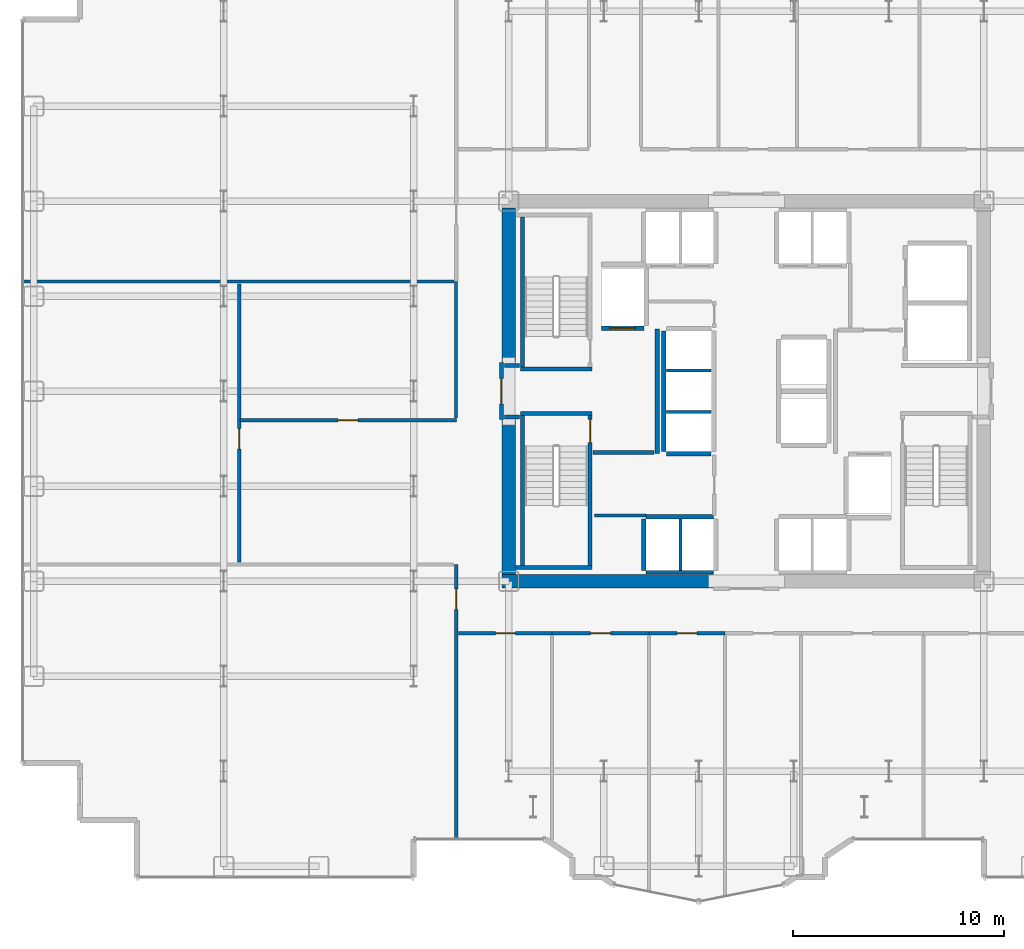
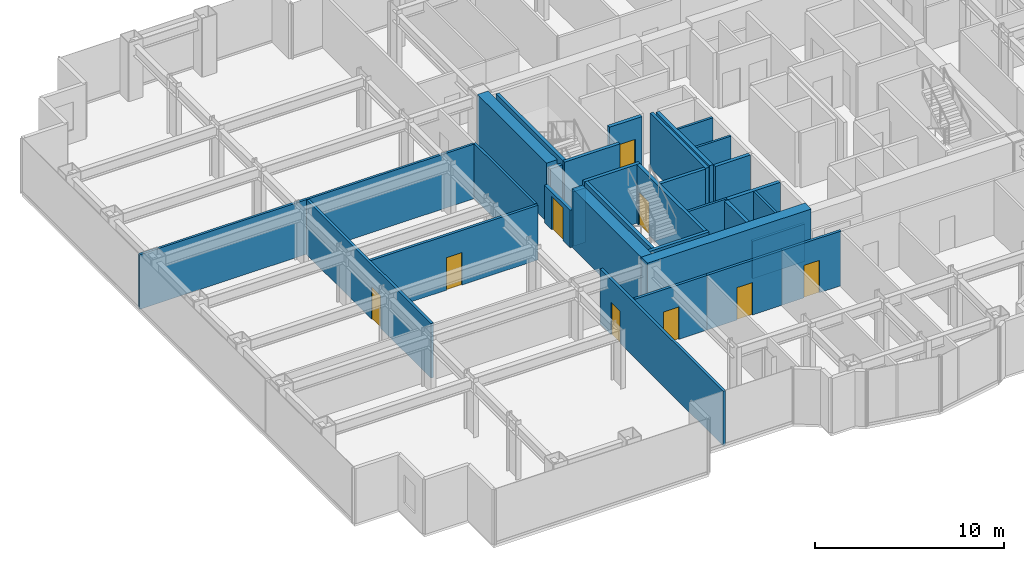
# One storey, part 20 of 26: 32 walls, 9 doors, 9 openings.
"""IFC4 building model written with IfcOpenShell, lengths in metres."""

from ifc_helpers import new_model, si_unit, direction, frame, frame_2d, origin, place, context, subcontext, project, spatial, rectangle, extrude, source, transform, mapped, material, layer, layer_set, type_object, element, fill, save


model = new_model("IFC4")

# Units and contexts
model_context = context("Model", 3, precision=1e-05, world=origin(), true_north=direction((0.0, 1.0)))
body_context = subcontext(model_context, "Body", "Model", "MODEL_VIEW")
ifc_project = project(units=[si_unit("LENGTHUNIT", "METRE"), si_unit("AREAUNIT", "SQUARE_METRE"), si_unit("VOLUMEUNIT", "CUBIC_METRE"), si_unit("PLANEANGLEUNIT", "RADIAN"), si_unit("MASSUNIT", "GRAM", prefix="KILO")], contexts=[model_context])

# Site, building, storey
site_placement = place(None, origin())
site = spatial("IfcSite", under=ifc_project, at=site_placement, CompositionType="ELEMENT")
building_placement = place(site_placement, origin())
building = spatial("IfcBuilding", under=site, at=building_placement, Name="Nefas-Gora Pilgrimage Tower", CompositionType="ELEMENT")
storey_placement = place(building_placement, frame((0.0, 0.0, 36.800048828125)))
storey = spatial("IfcBuildingStorey", under=building, at=storey_placement, Name="L07", CompositionType="ELEMENT", Elevation=36.800048828125)

# Walls
ifc_material_1 = material(Name="Concrete C60/75", Category="concrete")
ifc_layer_1 = layer(ifc_material_1, 0.64990234375)
ifc_layer_set_1 = layer_set([ifc_layer_1], Name="Concrete C60/75")
wall_type_1 = type_object("IfcWallType", Name="SW-CORE-650", PredefinedType="SHEAR", material=ifc_layer_set_1)
shared_shape_1 = source(origin(), body_context, "Body", "SweptSolid", [
    extrude(rectangle(XDim=10.02490234375, YDim=0.64990234375, at=frame_2d((5.012451171875, 0.0))), origin(), (0.0, 0.0, 1.0), 3.800048828125),
])
wall_1_placement = place(storey_placement, frame((-11.574951171875, -9.0, 0.0), z_axis=(0.0, 0.0, 1.0), x_axis=(1.0, 0.0, 0.0)))
element("IfcWall", 1, at=wall_1_placement, inside=storey, type_object=wall_type_1, Name="L07 Core Shear Wall S-West", PredefinedType="SHEAR", context=body_context, shape_type="MappedRepresentation", body=[
    mapped(shared_shape_1, transform((0.0, 0.0, 0.0), x_axis=(1.0, 0.0, 0.0), y_axis=(0.0, 1.0, 0.0), z_axis=(0.0, 0.0, 1.0), scale=1.0)),
])
shared_shape_2 = source(origin(), body_context, "Body", "SweptSolid", [
    extrude(rectangle(XDim=7.324951171875, YDim=0.64990234375, at=frame_2d((3.66259765625, 0.0))), origin(), (0.0, 0.0, 1.0), 3.800048828125),
])
for number, where, z_axis, x_axis, name in (
    (2, (-11.25, -8.675048828125, 0.0), (0.0, 0.0, 1.0), (0.0, 1.0, 0.0), "L07 Core Shear Wall W-South"),
    (3, (-11.25, 1.35009765625, 0.0), (0.0, 0.0, 1.0), (0.0, 1.0, 0.0), "L07 Core Shear Wall W-North"),
):
    element("IfcWall", number, at=place(storey_placement, frame(where, z_axis=z_axis, x_axis=x_axis)), inside=storey, type_object=wall_type_1, Name=name, PredefinedType="SHEAR", context=body_context, shape_type="MappedRepresentation", body=[
        mapped(shared_shape_2, transform((0.0, 0.0, 0.0), x_axis=(1.0, 0.0, 0.0), y_axis=(0.0, 1.0, 0.0), z_axis=(0.0, 0.0, 1.0), scale=1.0)),
    ])
ifc_material_2 = material(Name="Concrete C45/55", Category="concrete")
ifc_layer_2 = layer(ifc_material_2, 0.199951171875)
ifc_layer_set_2 = layer_set([ifc_layer_2], Name="Concrete C45/55")
wall_type_2 = type_object("IfcWallType", Name="IW-STAIR-200", PredefinedType="SOLIDWALL", material=ifc_layer_set_2)
shared_shape_3 = source(origin(), body_context, "Body", "SweptSolid", [
    extrude(rectangle(XDim=3.39990234375, YDim=0.199951171875, at=frame_2d((1.699951171875, 0.0))), origin(), (0.0, 0.0, 1.0), 3.800048828125),
])
for number, where, z_axis, x_axis, name in (
    (4, (-7.300048828125, 1.050048828125, 0.0), (0.0, 0.0, 1.0), (-1.0, 0.0, 0.0), "L07 Stairwell Shear Wall ST-01-near"),
    (5, (-10.699951171875, -1.050048828125, 0.0), (0.0, 0.0, 1.0), (1.0, 0.0, 0.0), "L07 Stairwell Shear Wall ST-03-near"),
):
    element("IfcWall", number, at=place(storey_placement, frame(where, z_axis=z_axis, x_axis=x_axis)), inside=storey, type_object=wall_type_2, Name=name, PredefinedType="SOLIDWALL", context=body_context, shape_type="MappedRepresentation", body=[
        mapped(shared_shape_3, transform((0.0, 0.0, 0.0), x_axis=(1.0, 0.0, 0.0), y_axis=(0.0, 1.0, 0.0), z_axis=(0.0, 0.0, 1.0), scale=1.0)),
    ])
shared_shape_4 = source(origin(), body_context, "Body", "SweptSolid", [
    extrude(rectangle(XDim=3.6298828125, YDim=0.199951171875, at=frame_2d((1.81494140625, 0.0))), origin(), (0.0, 0.0, 1.0), 3.800048828125),
])
wall_2_placement = place(storey_placement, frame((-10.929931640625, -8.35009765625, 0.0), z_axis=(0.0, 0.0, 1.0), x_axis=(1.0, 0.0, 0.0)))
element("IfcWall", 6, at=wall_2_placement, inside=storey, type_object=wall_type_2, Name="L07 Stairwell Shear Wall ST-03-far", PredefinedType="SOLIDWALL", context=body_context, shape_type="MappedRepresentation", body=[
    mapped(shared_shape_4, transform((0.0, 0.0, 0.0), x_axis=(1.0, 0.0, 0.0), y_axis=(0.0, 1.0, 0.0), z_axis=(0.0, 0.0, 1.0), scale=1.0)),
])
shared_shape_5 = source(origin(), body_context, "Body", "SweptSolid", [
    extrude(rectangle(XDim=7.10009765625, YDim=0.199951171875, at=frame_2d((3.550048828125, 0.0))), origin(), (0.0, 0.0, 1.0), 3.800048828125),
])
for number, where, z_axis, x_axis, name in (
    (7, (-10.60009765625, 1.14990234375, 0.0), (0.0, 0.0, 1.0), (0.0, 1.0, 0.0), "L07 Stairwell Shear Wall ST-01-right"),
    (8, (-10.60009765625, -1.14990234375, 0.0), (0.0, 0.0, 1.0), (0.0, -1.0, 0.0), "L07 Stairwell Shear Wall ST-03-left"),
):
    element("IfcWall", number, at=place(storey_placement, frame(where, z_axis=z_axis, x_axis=x_axis)), inside=storey, type_object=wall_type_2, Name=name, PredefinedType="SOLIDWALL", context=body_context, shape_type="MappedRepresentation", body=[
        mapped(shared_shape_5, transform((0.0, 0.0, 0.0), x_axis=(1.0, 0.0, 0.0), y_axis=(0.0, 1.0, 0.0), z_axis=(0.0, 0.0, 1.0), scale=1.0)),
    ])

# Wall, opening, door
wall_3_placement = place(storey_placement, frame((-7.39990234375, -1.14990234375, 0.0), z_axis=(0.0, 0.0, 1.0), x_axis=(0.0, -1.0, 0.0)))
wall_3 = element("IfcWall", 9, at=wall_3_placement, inside=storey, type_object=wall_type_2, Name="L07 Stairwell Shear Wall ST-03-right", PredefinedType="SOLIDWALL", context=body_context, shape_type="MappedRepresentation", body=[
    mapped(shared_shape_5, transform((0.0, 0.0, 0.0), x_axis=(1.0, 0.0, 0.0), y_axis=(0.0, 1.0, 0.0), z_axis=(0.0, 0.0, 1.0), scale=1.0)),
])
opening_1_placement = place(wall_3_placement, frame((0.179931640625, 0.0, 0.0)))
opening_1 = element("IfcOpeningElement", 10, at=opening_1_placement, cuts=wall_3, Name="Opening ID-ST1", PredefinedType="OPENING", context=body_context, shape_type="SweptSolid", body=[
    extrude(rectangle(XDim=1.10009765625, YDim=2.14990234375, at=frame_2d((0.550048828125, 1.074951171875))), frame((0.0, 0.10986328125, 0.0), z_axis=(0.0, -1.0, 0.0), x_axis=(1.0, 0.0, 0.0)), (0.0, 0.0, 1.0), 0.219970703125),
])
ifc_material_3 = material(Name="Painted galvanised steel fire stair door", Category="steel")
door_type_1 = type_object("IfcDoorType", Name="DR-INT-STAIR-1100", OperationType="NOTDEFINED", PredefinedType="DOOR", material=ifc_material_3)
shared_shape_6 = source(origin(), body_context, "Body", "SweptSolid", [
    extrude(rectangle(XDim=1.10009765625, YDim=2.14990234375, at=frame_2d((0.550048828125, 1.074951171875))), frame((0.0, 0.02490234375, 0.0), z_axis=(0.0, -1.0, 0.0), x_axis=(1.0, 0.0, 0.0)), (0.0, 0.0, 1.0), 0.050048828125),
])
door_1_placement = place(opening_1_placement, origin())
door_1 = element("IfcDoor", 11, at=door_1_placement, inside=storey, type_object=door_type_1, Name="L07 Protected Exit Stair Door ST-03", OperationType="SINGLE_SWING_LEFT", OverallHeight=2.14990234375, OverallWidth=1.10009765625, PredefinedType="DOOR", context=body_context, shape_type="MappedRepresentation", body=[
    mapped(shared_shape_6, transform((0.0, 0.0, 0.0), x_axis=(1.0, 0.0, 0.0), y_axis=(0.0, 1.0, 0.0), z_axis=(0.0, 0.0, 1.0), scale=1.0)),
])
fill(opening_1, door_1)

ifc_material_4 = material(Name="Concrete C40/50", Category="concrete")
ifc_layer_3 = layer(ifc_material_4, 0.219970703125)
ifc_layer_set_3 = layer_set([ifc_layer_3], Name="Concrete C40/50")
wall_type_3 = type_object("IfcWallType", Name="IW-SHAFT-220", PredefinedType="SOLIDWALL", material=ifc_layer_set_3)
shared_shape_7 = source(origin(), body_context, "Body", "SweptSolid", [
    extrude(rectangle(XDim=2.0, YDim=0.219970703125, at=frame_2d((1.0, 0.0))), origin(), (0.0, 0.0, 1.0), 3.534912109375),
])
wall_4_placement = place(storey_placement, frame((-6.85009765625, 2.989990234375, 0.0), z_axis=(0.0, 0.0, 1.0), x_axis=(1.0, 0.0, 0.0)))
wall_4 = element("IfcWall", 12, at=wall_4_placement, inside=storey, type_object=wall_type_3, Name="L07 Hoistway Wall FFL-01-S", PredefinedType="SOLIDWALL", context=body_context, shape_type="MappedRepresentation", body=[
    mapped(shared_shape_7, transform((0.0, 0.0, 0.0), x_axis=(1.0, 0.0, 0.0), y_axis=(0.0, 1.0, 0.0), z_axis=(0.0, 0.0, 1.0), scale=1.0)),
])
opening_2_placement = place(wall_4_placement, frame((0.39990234375, 0.0, 0.0)))
opening_2 = element("IfcOpeningElement", 13, at=opening_2_placement, cuts=wall_4, Name="Opening LD-FF", PredefinedType="OPENING", context=body_context, shape_type="SweptSolid", body=[
    extrude(rectangle(XDim=1.199951171875, YDim=2.199951171875, at=frame_2d((0.60009765625, 1.10009765625))), frame((0.0, 0.119873046875, 0.0), z_axis=(0.0, -1.0, 0.0), x_axis=(1.0, 0.0, 0.0)), (0.0, 0.0, 1.0), 0.239990234375),
])
ifc_material_5 = material(Name="Fire-service sliding lift landing door")
door_type_2 = type_object("IfcDoorType", Name="DR-LIFT-FSAE-1200", OperationType="SLIDING_TO_LEFT", PredefinedType="DOOR", material=ifc_material_5)
shared_shape_8 = source(origin(), body_context, "Body", "SweptSolid", [
    extrude(rectangle(XDim=1.199951171875, YDim=2.199951171875, at=frame_2d((0.60009765625, 1.10009765625))), frame((0.0, 0.02490234375, 0.0), z_axis=(0.0, -1.0, 0.0), x_axis=(1.0, 0.0, 0.0)), (0.0, 0.0, 1.0), 0.050048828125),
])
door_2_placement = place(opening_2_placement, origin())
door_2 = element("IfcDoor", 14, at=door_2_placement, inside=storey, type_object=door_type_2, Name="L07 Sliding Lift Landing Door FFL-01", OperationType="SLIDING_TO_LEFT", OverallHeight=2.199951171875, OverallWidth=1.199951171875, PredefinedType="DOOR", context=body_context, shape_type="MappedRepresentation", body=[
    mapped(shared_shape_8, transform((0.0, 0.0, 0.0), x_axis=(1.0, 0.0, 0.0), y_axis=(0.0, 1.0, 0.0), z_axis=(0.0, 0.0, 1.0), scale=1.0)),
])
fill(opening_2, door_2)

# Walls
shared_shape_9 = source(origin(), body_context, "Body", "SweptSolid", [
    extrude(rectangle(XDim=3.199951171875, YDim=0.219970703125, at=frame_2d((1.60009765625, 0.0))), origin(), (0.0, 0.0, 1.0), 3.534912109375),
])
wall_5_placement = place(storey_placement, frame((-1.550048828125, -5.93994140625, 0.0), z_axis=(0.0, 0.0, 1.0), x_axis=(-1.0, 0.0, 0.0)))
element("IfcWall", 15, at=wall_5_placement, inside=storey, type_object=wall_type_3, Name="L07 Hoistway Wall PL2-W-N", PredefinedType="SOLIDWALL", context=body_context, shape_type="MappedRepresentation", body=[
    mapped(shared_shape_9, transform((0.0, 0.0, 0.0), x_axis=(1.0, 0.0, 0.0), y_axis=(0.0, 1.0, 0.0), z_axis=(0.0, 0.0, 1.0), scale=1.0)),
])
ifc_material_6 = material(Name="Gypsum acoustic stud partition")
ifc_layer_4 = layer(ifc_material_6, 0.159912109375)
ifc_layer_set_4 = layer_set([ifc_layer_4], Name="Gypsum acoustic stud partition")
wall_type_4 = type_object("IfcWallType", Name="IW-CORR-160", PredefinedType="PARTITIONING", material=ifc_layer_set_4)
shared_shape_10 = source(origin(), body_context, "Body", "SweptSolid", [
    extrude(rectangle(XDim=3.199951171875, YDim=0.159912109375, at=frame_2d((1.60009765625, 0.0))), origin(), (0.0, 0.0, 1.0), 2.425048828125),
])
wall_6_placement = place(storey_placement, frame((-4.75, -8.580078125, 0.0), z_axis=(0.0, 0.0, 1.0), x_axis=(1.0, 0.0, 0.0)))
element("IfcWall", 16, at=wall_6_placement, inside=storey, type_object=wall_type_4, Name="L07 Hoistway Wall PL2-W-S", PredefinedType="PARTITIONING", context=body_context, shape_type="MappedRepresentation", body=[
    mapped(shared_shape_10, transform((0.0, 0.0, 0.0), x_axis=(1.0, 0.0, 0.0), y_axis=(0.0, 1.0, 0.0), z_axis=(0.0, 0.0, 1.0), scale=1.0)),
])
shared_shape_11 = source(origin(), body_context, "Body", "SweptSolid", [
    extrude(rectangle(XDim=2.429931640625, YDim=0.219970703125, at=frame_2d((1.21484375, 0.0))), origin(), (0.0, 0.0, 1.0), 3.534912109375),
])
wall_7_placement = place(storey_placement, frame((-4.860107421875, -6.06005859375, 0.0), z_axis=(0.0, 0.0, 1.0), x_axis=(0.0, -1.0, 0.0)))
element("IfcWall", 17, at=wall_7_placement, inside=storey, type_object=wall_type_3, Name="L07 Hoistway Wall PL2-W-W", PredefinedType="SOLIDWALL", context=body_context, shape_type="MappedRepresentation", body=[
    mapped(shared_shape_11, transform((0.0, 0.0, 0.0), x_axis=(1.0, 0.0, 0.0), y_axis=(0.0, 1.0, 0.0), z_axis=(0.0, 0.0, 1.0), scale=1.0)),
])
ifc_material_7 = material(Name="Gypsum twin-stud partition")
ifc_layer_5 = layer(ifc_material_7, 0.139892578125)
ifc_layer_set_5 = layer_set([ifc_layer_5], Name="Gypsum twin-stud partition")
wall_type_5 = type_object("IfcWallType", Name="IW-UNIT-140", PredefinedType="PARTITIONING", material=ifc_layer_set_5)
shared_shape_12 = source(origin(), body_context, "Body", "SweptSolid", [
    extrude(rectangle(XDim=2.429931640625, YDim=0.139892578125, at=frame_2d((1.21484375, 0.0))), origin(), (0.0, 0.0, 1.0), 3.534912109375),
])
wall_8_placement = place(storey_placement, frame((-3.125, -8.489990234375, 0.0), z_axis=(0.0, 0.0, 1.0), x_axis=(0.0, 1.0, 0.0)))
element("IfcWall", 18, at=wall_8_placement, inside=storey, type_object=wall_type_5, Name="L07 Hoistway Wall PL2-W-DIV", PredefinedType="PARTITIONING", context=body_context, shape_type="MappedRepresentation", body=[
    mapped(shared_shape_12, transform((0.0, 0.0, 0.0), x_axis=(1.0, 0.0, 0.0), y_axis=(0.0, 1.0, 0.0), z_axis=(0.0, 0.0, 1.0), scale=1.0)),
])
shared_shape_13 = source(origin(), body_context, "Body", "SweptSolid", [
    extrude(rectangle(XDim=5.7001953125, YDim=0.219970703125, at=frame_2d((2.85009765625, 0.0))), origin(), (0.0, 0.0, 1.0), 3.534912109375),
])
wall_9_placement = place(storey_placement, frame((-3.909912109375, 2.85009765625, 0.0), z_axis=(0.0, 0.0, 1.0), x_axis=(0.0, -1.0, 0.0)))
element("IfcWall", 19, at=wall_9_placement, inside=storey, type_object=wall_type_3, Name="L07 Hoistway Wall PL3-01-03-W", PredefinedType="SOLIDWALL", context=body_context, shape_type="MappedRepresentation", body=[
    mapped(shared_shape_13, transform((0.0, 0.0, 0.0), x_axis=(1.0, 0.0, 0.0), y_axis=(0.0, 1.0, 0.0), z_axis=(0.0, 0.0, 1.0), scale=1.0)),
])
shared_shape_14 = source(origin(), body_context, "Body", "SweptSolid", [
    extrude(rectangle(XDim=2.130126953125, YDim=0.219970703125, at=frame_2d((1.06494140625, 0.0))), origin(), (0.0, 0.0, 1.0), 3.534912109375),
])
wall_10_placement = place(storey_placement, frame((-3.7900390625, -2.9599609375, 0.0), z_axis=(0.0, 0.0, 1.0), x_axis=(1.0, 0.0, 0.0)))
element("IfcWall", 20, at=wall_10_placement, inside=storey, type_object=wall_type_3, Name="L07 Hoistway Wall PL3-01-S", PredefinedType="SOLIDWALL", context=body_context, shape_type="MappedRepresentation", body=[
    mapped(shared_shape_14, transform((0.0, 0.0, 0.0), x_axis=(1.0, 0.0, 0.0), y_axis=(0.0, 1.0, 0.0), z_axis=(0.0, 0.0, 1.0), scale=1.0)),
])
shared_shape_15 = source(origin(), body_context, "Body", "SweptSolid", [
    extrude(rectangle(XDim=2.130126953125, YDim=0.139892578125, at=frame_2d((1.06494140625, 0.0))), origin(), (0.0, 0.0, 1.0), 3.534912109375),
])
for number, where, z_axis, x_axis, name in (
    (21, (-3.7900390625, -0.97509765625, 0.0), (0.0, 0.0, 1.0), (1.0, 0.0, 0.0), "L07 Hoistway Wall PL3-01-02-DIV"),
    (22, (-3.7900390625, 0.97509765625, 0.0), (0.0, 0.0, 1.0), (1.0, 0.0, 0.0), "L07 Hoistway Wall PL3-02-03-DIV"),
):
    element("IfcWall", number, at=place(storey_placement, frame(where, z_axis=z_axis, x_axis=x_axis)), inside=storey, type_object=wall_type_5, Name=name, PredefinedType="PARTITIONING", context=body_context, shape_type="MappedRepresentation", body=[
        mapped(shared_shape_15, transform((0.0, 0.0, 0.0), x_axis=(1.0, 0.0, 0.0), y_axis=(0.0, 1.0, 0.0), z_axis=(0.0, 0.0, 1.0), scale=1.0)),
    ])

# Wall, opening, door
ifc_material_8 = material(Name="Gypsum fire-rated shaftwall")
ifc_layer_6 = layer(ifc_material_8, 0.199951171875)
ifc_layer_set_6 = layer_set([ifc_layer_6], Name="Gypsum fire-rated shaftwall")
wall_type_6 = type_object("IfcWallType", Name="IW-FFLOB-200", PredefinedType="PARTITIONING", material=ifc_layer_set_6)
shared_shape_16 = source(origin(), body_context, "Body", "SweptSolid", [
    extrude(rectangle(XDim=2.7001953125, YDim=0.199951171875, at=frame_2d((1.35009765625, 0.0))), origin(), (0.0, 0.0, 1.0), 2.425048828125),
])
wall_11_placement = place(storey_placement, frame((-11.60009765625, -1.35009765625, 0.0), z_axis=(0.0, 0.0, 1.0), x_axis=(0.0, 1.0, 0.0)))
wall_11 = element("IfcWall", 23, at=wall_11_placement, inside=storey, type_object=wall_type_6, Name="L07 FF Lobby West Portal Wall 3", PredefinedType="PARTITIONING", context=body_context, shape_type="MappedRepresentation", body=[
    mapped(shared_shape_16, transform((0.0, 0.0, 0.0), x_axis=(1.0, 0.0, 0.0), y_axis=(0.0, 1.0, 0.0), z_axis=(0.0, 0.0, 1.0), scale=1.0)),
])
opening_3_placement = place(wall_11_placement, frame((0.75, 0.0, 0.0)))
opening_3 = element("IfcOpeningElement", 24, at=opening_3_placement, cuts=wall_11, Name="Opening ID-FF1", PredefinedType="OPENING", context=body_context, shape_type="SweptSolid", body=[
    extrude(rectangle(XDim=1.199951171875, YDim=2.14990234375, at=frame_2d((0.60009765625, 1.074951171875))), frame((0.0, 0.10986328125, 0.0), z_axis=(0.0, -1.0, 0.0), x_axis=(1.0, 0.0, 0.0)), (0.0, 0.0, 1.0), 0.219970703125),
])
ifc_material_9 = material(Name="Smoke-sealed steel firefighting lobby door", Category="steel")
door_type_3 = type_object("IfcDoorType", Name="DR-INT-FFLOB-1200", OperationType="NOTDEFINED", PredefinedType="DOOR", material=ifc_material_9)
shared_shape_17 = source(origin(), body_context, "Body", "SweptSolid", [
    extrude(rectangle(XDim=1.199951171875, YDim=2.14990234375, at=frame_2d((0.60009765625, 1.074951171875))), frame((0.0, 0.02490234375, 0.0), z_axis=(0.0, -1.0, 0.0), x_axis=(1.0, 0.0, 0.0)), (0.0, 0.0, 1.0), 0.050048828125),
])
door_3_placement = place(opening_3_placement, origin())
door_3 = element("IfcDoor", 25, at=door_3_placement, inside=storey, type_object=door_type_3, Name="L07 FF Lobby West Portal Door 1", OperationType="SINGLE_SWING_RIGHT", OverallHeight=2.14990234375, OverallWidth=1.199951171875, PredefinedType="DOOR", context=body_context, shape_type="MappedRepresentation", body=[
    mapped(shared_shape_17, transform((0.0, 0.0, 0.0), x_axis=(1.0, 0.0, 0.0), y_axis=(0.0, 1.0, 0.0), z_axis=(0.0, 0.0, 1.0), scale=1.0)),
])
fill(opening_3, door_3)

# Walls
shared_shape_18 = source(origin(), body_context, "Body", "SweptSolid", [
    extrude(rectangle(XDim=5.89990234375, YDim=0.199951171875, at=frame_2d((2.949951171875, 0.0))), origin(), (0.0, 0.0, 1.0), 3.534912109375),
])
wall_12_placement = place(storey_placement, frame((-4.219970703125, -2.949951171875, 0.0), z_axis=(0.0, 0.0, 1.0), x_axis=(0.0, 1.0, 0.0)))
element("IfcWall", 26, at=wall_12_placement, inside=storey, type_object=wall_type_6, Name="L07 FF Lobby West Inner Wall Wall 4", PredefinedType="PARTITIONING", context=body_context, shape_type="MappedRepresentation", body=[
    mapped(shared_shape_18, transform((0.0, 0.0, 0.0), x_axis=(1.0, 0.0, 0.0), y_axis=(0.0, 1.0, 0.0), z_axis=(0.0, 0.0, 1.0), scale=1.0)),
])
shared_shape_19 = source(origin(), body_context, "Body", "SweptSolid", [
    extrude(rectangle(XDim=2.89990234375, YDim=0.199951171875, at=frame_2d((1.449951171875, 0.0))), origin(), (0.0, 0.0, 1.0), 3.534912109375),
])
wall_13_placement = place(storey_placement, frame((-7.260009765625, -2.89990234375, 0.0), z_axis=(0.0, 0.0, 1.0), x_axis=(1.0, 0.0, 0.0)))
element("IfcWall", 27, at=wall_13_placement, inside=storey, type_object=wall_type_6, Name="L07 FF Lobby West South Wall Wall 5", PredefinedType="PARTITIONING", context=body_context, shape_type="MappedRepresentation", body=[
    mapped(shared_shape_19, transform((0.0, 0.0, 0.0), x_axis=(1.0, 0.0, 0.0), y_axis=(0.0, 1.0, 0.0), z_axis=(0.0, 0.0, 1.0), scale=1.0)),
])
shared_shape_20 = source(origin(), body_context, "Body", "SweptSolid", [
    extrude(rectangle(XDim=0.719970703125, YDim=0.199951171875, at=frame_2d((0.35986328125, 0.0))), origin(), (0.0, 0.0, 1.0), 3.534912109375),
])
for number, where, z_axis, x_axis, name in (
    (28, (-11.4599609375, 1.219970703125, 0.0), (0.0, 0.0, 1.0), (1.0, 0.0, 0.0), "L07 FF Lobby West Throat N Wall 6"),
    (29, (-11.4599609375, -1.219970703125, 0.0), (0.0, 0.0, 1.0), (1.0, 0.0, 0.0), "L07 FF Lobby West Throat S Wall 7"),
):
    element("IfcWall", number, at=place(storey_placement, frame(where, z_axis=z_axis, x_axis=x_axis)), inside=storey, type_object=wall_type_6, Name=name, PredefinedType="PARTITIONING", context=body_context, shape_type="MappedRepresentation", body=[
        mapped(shared_shape_20, transform((0.0, 0.0, 0.0), x_axis=(1.0, 0.0, 0.0), y_axis=(0.0, 1.0, 0.0), z_axis=(0.0, 0.0, 1.0), scale=1.0)),
    ])
shared_shape_21 = source(origin(), body_context, "Body", "SweptSolid", [
    extrude(rectangle(XDim=2.43505859375, YDim=0.139892578125, at=frame_2d((1.217529296875, 0.0))), origin(), (0.0, 0.0, 1.0), 3.534912109375),
])
wall_14_placement = place(storey_placement, frame((-7.18994140625, -5.8798828125, 0.0), z_axis=(0.0, 0.0, 1.0), x_axis=(1.0, 0.0, 0.0)))
element("IfcWall", 30, at=wall_14_placement, inside=storey, type_object=wall_type_5, Name="L07 Pilgrim Baggage and Gear Vault Partition Wall 19", PredefinedType="PARTITIONING", context=body_context, shape_type="MappedRepresentation", body=[
    mapped(shared_shape_21, transform((0.0, 0.0, 0.0), x_axis=(1.0, 0.0, 0.0), y_axis=(0.0, 1.0, 0.0), z_axis=(0.0, 0.0, 1.0), scale=1.0)),
])

# Wall, opening, door
shared_shape_22 = source(origin(), body_context, "Body", "SweptSolid", [
    extrude(rectangle(XDim=13.044921875, YDim=0.159912109375, at=frame_2d((6.5224609375, 0.0))), origin(), (0.0, 0.0, 1.0), 3.534912109375),
])
wall_15_placement = place(storey_placement, frame((-13.739990234375, -21.239990234375, 0.0), z_axis=(0.0, 0.0, 1.0), x_axis=(0.0, 1.0, 0.0)))
wall_15 = element("IfcWall", 31, at=wall_15_placement, inside=storey, type_object=wall_type_4, Name="L07 Pilgrim Tea and Beverage Pantry Partition Wall 23", PredefinedType="PARTITIONING", context=body_context, shape_type="MappedRepresentation", body=[
    mapped(shared_shape_22, transform((0.0, 0.0, 0.0), x_axis=(1.0, 0.0, 0.0), y_axis=(0.0, 1.0, 0.0), z_axis=(0.0, 0.0, 1.0), scale=1.0)),
])
opening_4_placement = place(wall_15_placement, frame((10.91259765625, 0.0, 0.0)))
opening_4 = element("IfcOpeningElement", 32, at=opening_4_placement, cuts=wall_15, Name="Opening ID-GR1", PredefinedType="OPENING", context=body_context, shape_type="SweptSolid", body=[
    extrude(rectangle(XDim=0.949951171875, YDim=2.10009765625, at=frame_2d((0.47509765625, 1.050048828125))), frame((0.0, 0.08984375, 0.0), z_axis=(0.0, -1.0, 0.0), x_axis=(1.0, 0.0, 0.0)), (0.0, 0.0, 1.0), 0.179931640625),
])
ifc_material_10 = material(Name="Solid core oak fire-rated guest entrance door")
door_type_4 = type_object("IfcDoorType", Name="DR-INT-GUEST-950", OperationType="NOTDEFINED", PredefinedType="DOOR", material=ifc_material_10)
shared_shape_23 = source(origin(), body_context, "Body", "SweptSolid", [
    extrude(rectangle(XDim=0.949951171875, YDim=2.10009765625, at=frame_2d((0.47509765625, 1.050048828125))), frame((0.0, 0.02490234375, 0.0), z_axis=(0.0, -1.0, 0.0), x_axis=(1.0, 0.0, 0.0)), (0.0, 0.0, 1.0), 0.050048828125),
])
door_4_placement = place(opening_4_placement, origin())
door_4 = element("IfcDoor", 33, at=door_4_placement, inside=storey, type_object=door_type_4, Name="L07 Pilgrim Tea and Beverage Pantry Door 9", OperationType="SINGLE_SWING_RIGHT", OverallHeight=2.10009765625, OverallWidth=0.949951171875, PredefinedType="DOOR", context=body_context, shape_type="MappedRepresentation", body=[
    mapped(shared_shape_23, transform((0.0, 0.0, 0.0), x_axis=(1.0, 0.0, 0.0), y_axis=(0.0, 1.0, 0.0), z_axis=(0.0, 0.0, 1.0), scale=1.0)),
])
fill(opening_4, door_4)

shared_shape_24 = source(origin(), body_context, "Body", "SweptSolid", [
    extrude(rectangle(XDim=10.25, YDim=0.159912109375, at=frame_2d((5.125, 0.0))), origin(), (0.0, 0.0, 1.0), 3.534912109375),
])
wall_16_placement = place(storey_placement, frame((-23.97998046875, -1.3798828125, 0.0), z_axis=(0.0, 0.0, 1.0), x_axis=(1.0, 0.0, 0.0)))
wall_16 = element("IfcWall", 34, at=wall_16_placement, inside=storey, type_object=wall_type_4, Name="L07 Pilgrim Fellowship Seminar Room Partition Wall 25", PredefinedType="PARTITIONING", context=body_context, shape_type="MappedRepresentation", body=[
    mapped(shared_shape_24, transform((0.0, 0.0, 0.0), x_axis=(1.0, 0.0, 0.0), y_axis=(0.0, 1.0, 0.0), z_axis=(0.0, 0.0, 1.0), scale=1.0)),
])
opening_5_placement = place(wall_16_placement, frame((4.64990234375, 0.0, 0.0)))
opening_5 = element("IfcOpeningElement", 35, at=opening_5_placement, cuts=wall_16, Name="Opening ID-GR1", PredefinedType="OPENING", context=body_context, shape_type="SweptSolid", body=[
    extrude(rectangle(XDim=0.949951171875, YDim=2.10009765625, at=frame_2d((0.47509765625, 1.050048828125))), frame((0.0, 0.08984375, 0.0), z_axis=(0.0, -1.0, 0.0), x_axis=(1.0, 0.0, 0.0)), (0.0, 0.0, 1.0), 0.179931640625),
])
door_5_placement = place(opening_5_placement, origin())
door_5 = element("IfcDoor", 36, at=door_5_placement, inside=storey, type_object=door_type_4, Name="L07 Pilgrim Fellowship Seminar Room Door 10", OperationType="SINGLE_SWING_LEFT", OverallHeight=2.10009765625, OverallWidth=0.949951171875, PredefinedType="DOOR", context=body_context, shape_type="MappedRepresentation", body=[
    mapped(shared_shape_23, transform((0.0, 0.0, 0.0), x_axis=(1.0, 0.0, 0.0), y_axis=(0.0, 1.0, 0.0), z_axis=(0.0, 0.0, 1.0), scale=1.0)),
])
fill(opening_5, door_5)

# Wall
shared_shape_25 = source(origin(), body_context, "Body", "SweptSolid", [
    extrude(rectangle(XDim=6.465087890625, YDim=0.139892578125, at=frame_2d((3.232421875, 0.0))), origin(), (0.0, 0.0, 1.0), 3.534912109375),
])
wall_17_placement = place(storey_placement, frame((-13.739990234375, -1.260009765625, 0.0), z_axis=(0.0, 0.0, 1.0), x_axis=(0.0, 1.0, 0.0)))
element("IfcWall", 37, at=wall_17_placement, inside=storey, type_object=wall_type_5, Name="L07 Pilgrim Fellowship Seminar Room Partition Wall 26", PredefinedType="PARTITIONING", context=body_context, shape_type="MappedRepresentation", body=[
    mapped(shared_shape_25, transform((0.0, 0.0, 0.0), x_axis=(1.0, 0.0, 0.0), y_axis=(0.0, 1.0, 0.0), z_axis=(0.0, 0.0, 1.0), scale=1.0)),
])

# Wall, opening, door
shared_shape_26 = source(origin(), body_context, "Body", "SweptSolid", [
    extrude(rectangle(XDim=13.179931640625, YDim=0.159912109375, at=frame_2d((6.58984375, 0.0))), origin(), (0.0, 0.0, 1.0), 3.534912109375),
])
wall_18_placement = place(storey_placement, frame((-24.02001953125, -8.094970703125, 0.0), z_axis=(0.0, 0.0, 1.0), x_axis=(0.0, 1.0, 0.0)))
wall_18 = element("IfcWall", 38, at=wall_18_placement, inside=storey, type_object=wall_type_4, Name="L07 Pilgrim Refectory Lounge Partition Wall 28", PredefinedType="PARTITIONING", context=body_context, shape_type="MappedRepresentation", body=[
    mapped(shared_shape_26, transform((0.0, 0.0, 0.0), x_axis=(1.0, 0.0, 0.0), y_axis=(0.0, 1.0, 0.0), z_axis=(0.0, 0.0, 1.0), scale=1.0)),
])
opening_6_placement = place(wall_18_placement, frame((5.3701171875, 0.0, 0.0)))
opening_6 = element("IfcOpeningElement", 39, at=opening_6_placement, cuts=wall_18, Name="Opening ID-GR1", PredefinedType="OPENING", context=body_context, shape_type="SweptSolid", body=[
    extrude(rectangle(XDim=0.949951171875, YDim=2.10009765625, at=frame_2d((0.47509765625, 1.050048828125))), frame((0.0, 0.08984375, 0.0), z_axis=(0.0, -1.0, 0.0), x_axis=(1.0, 0.0, 0.0)), (0.0, 0.0, 1.0), 0.179931640625),
])
door_6_placement = place(opening_6_placement, origin())
door_6 = element("IfcDoor", 40, at=door_6_placement, inside=storey, type_object=door_type_4, Name="L07 Pilgrim Refectory Lounge Door 11", OperationType="SINGLE_SWING_RIGHT", OverallHeight=2.10009765625, OverallWidth=0.949951171875, PredefinedType="DOOR", context=body_context, shape_type="MappedRepresentation", body=[
    mapped(shared_shape_23, transform((0.0, 0.0, 0.0), x_axis=(1.0, 0.0, 0.0), y_axis=(0.0, 1.0, 0.0), z_axis=(0.0, 0.0, 1.0), scale=1.0)),
])
fill(opening_6, door_6)

shared_shape_27 = source(origin(), body_context, "Body", "SweptSolid", [
    extrude(rectangle(XDim=4.425048828125, YDim=0.159912109375, at=frame_2d((2.21240234375, 0.0))), origin(), (0.0, 0.0, 1.0), 3.534912109375),
])
wall_19_placement = place(storey_placement, frame((-13.6201171875, -11.469970703125, 0.0), z_axis=(0.0, 0.0, 1.0), x_axis=(1.0, 0.0, 0.0)))
wall_19 = element("IfcWall", 41, at=wall_19_placement, inside=storey, type_object=wall_type_4, Name="L07 Pilgrim Contemplative Lounge Partition Wall 51", PredefinedType="PARTITIONING", context=body_context, shape_type="MappedRepresentation", body=[
    mapped(shared_shape_27, transform((0.0, 0.0, 0.0), x_axis=(1.0, 0.0, 0.0), y_axis=(0.0, 1.0, 0.0), z_axis=(0.0, 0.0, 1.0), scale=1.0)),
])
opening_7_placement = place(wall_19_placement, frame((1.737548828125, 0.0, 0.0)))
opening_7 = element("IfcOpeningElement", 42, at=opening_7_placement, cuts=wall_19, Name="Opening ID-GR1", PredefinedType="OPENING", context=body_context, shape_type="SweptSolid", body=[
    extrude(rectangle(XDim=0.949951171875, YDim=2.10009765625, at=frame_2d((0.47509765625, 1.050048828125))), frame((0.0, 0.08984375, 0.0), z_axis=(0.0, -1.0, 0.0), x_axis=(1.0, 0.0, 0.0)), (0.0, 0.0, 1.0), 0.179931640625),
])
door_7_placement = place(opening_7_placement, origin())
door_7 = element("IfcDoor", 43, at=door_7_placement, inside=storey, type_object=door_type_4, Name="L07 Pilgrim Contemplative Lounge Door 24", OperationType="SINGLE_SWING_LEFT", OverallHeight=2.10009765625, OverallWidth=0.949951171875, PredefinedType="DOOR", context=body_context, shape_type="MappedRepresentation", body=[
    mapped(shared_shape_23, transform((0.0, 0.0, 0.0), x_axis=(1.0, 0.0, 0.0), y_axis=(0.0, 1.0, 0.0), z_axis=(0.0, 0.0, 1.0), scale=1.0)),
])
fill(opening_7, door_7)

shared_shape_28 = source(origin(), body_context, "Body", "SweptSolid", [
    extrude(rectangle(XDim=4.610107421875, YDim=0.159912109375, at=frame_2d((2.30517578125, 0.0))), origin(), (0.0, 0.0, 1.0), 3.534912109375),
])
wall_20_placement = place(storey_placement, frame((-9.205078125, -11.469970703125, 0.0), z_axis=(0.0, 0.0, 1.0), x_axis=(1.0, 0.0, 0.0)))
wall_20 = element("IfcWall", 44, at=wall_20_placement, inside=storey, type_object=wall_type_4, Name="L07 Pilgrim Contemplative Lounge Partition Wall 53", PredefinedType="PARTITIONING", context=body_context, shape_type="MappedRepresentation", body=[
    mapped(shared_shape_28, transform((0.0, 0.0, 0.0), x_axis=(1.0, 0.0, 0.0), y_axis=(0.0, 1.0, 0.0), z_axis=(0.0, 0.0, 1.0), scale=1.0)),
])
opening_8_placement = place(wall_20_placement, frame((1.830078125, 0.0, 0.0)))
opening_8 = element("IfcOpeningElement", 45, at=opening_8_placement, cuts=wall_20, Name="Opening ID-GR1", PredefinedType="OPENING", context=body_context, shape_type="SweptSolid", body=[
    extrude(rectangle(XDim=0.949951171875, YDim=2.10009765625, at=frame_2d((0.47509765625, 1.050048828125))), frame((0.0, 0.08984375, 0.0), z_axis=(0.0, -1.0, 0.0), x_axis=(1.0, 0.0, 0.0)), (0.0, 0.0, 1.0), 0.179931640625),
])
door_8_placement = place(opening_8_placement, origin())
door_8 = element("IfcDoor", 46, at=door_8_placement, inside=storey, type_object=door_type_4, Name="L07 Pilgrim Contemplative Lounge Door 25", OperationType="SINGLE_SWING_RIGHT", OverallHeight=2.10009765625, OverallWidth=0.949951171875, PredefinedType="DOOR", context=body_context, shape_type="MappedRepresentation", body=[
    mapped(shared_shape_23, transform((0.0, 0.0, 0.0), x_axis=(1.0, 0.0, 0.0), y_axis=(0.0, 1.0, 0.0), z_axis=(0.0, 0.0, 1.0), scale=1.0)),
])
fill(opening_8, door_8)

shared_shape_29 = source(origin(), body_context, "Body", "SweptSolid", [
    extrude(rectangle(XDim=3.60498046875, YDim=0.159912109375, at=frame_2d((1.802490234375, 0.0))), origin(), (0.0, 0.0, 1.0), 3.534912109375),
])
wall_21_placement = place(storey_placement, frame((-4.60498046875, -11.469970703125, 0.0), z_axis=(0.0, 0.0, 1.0), x_axis=(1.0, 0.0, 0.0)))
wall_21 = element("IfcWall", 47, at=wall_21_placement, inside=storey, type_object=wall_type_4, Name="L07 Pilgrim Contemplative Lounge Partition Wall 55", PredefinedType="PARTITIONING", context=body_context, shape_type="MappedRepresentation", body=[
    mapped(shared_shape_29, transform((0.0, 0.0, 0.0), x_axis=(1.0, 0.0, 0.0), y_axis=(0.0, 1.0, 0.0), z_axis=(0.0, 0.0, 1.0), scale=1.0)),
])
opening_9_placement = place(wall_21_placement, frame((1.327392578125, 0.0, 0.0)))
opening_9 = element("IfcOpeningElement", 48, at=opening_9_placement, cuts=wall_21, Name="Opening ID-GR1", PredefinedType="OPENING", context=body_context, shape_type="SweptSolid", body=[
    extrude(rectangle(XDim=0.949951171875, YDim=2.10009765625, at=frame_2d((0.47509765625, 1.050048828125))), frame((0.0, 0.08984375, 0.0), z_axis=(0.0, -1.0, 0.0), x_axis=(1.0, 0.0, 0.0)), (0.0, 0.0, 1.0), 0.179931640625),
])
door_9_placement = place(opening_9_placement, origin())
door_9 = element("IfcDoor", 49, at=door_9_placement, inside=storey, type_object=door_type_4, Name="L07 Pilgrim Contemplative Lounge Door 26", OperationType="SINGLE_SWING_LEFT", OverallHeight=2.10009765625, OverallWidth=0.949951171875, PredefinedType="DOOR", context=body_context, shape_type="MappedRepresentation", body=[
    mapped(shared_shape_23, transform((0.0, 0.0, 0.0), x_axis=(1.0, 0.0, 0.0), y_axis=(0.0, 1.0, 0.0), z_axis=(0.0, 0.0, 1.0), scale=1.0)),
])
fill(opening_9, door_9)

# Wall
shared_shape_30 = source(origin(), body_context, "Body", "SweptSolid", [
    extrude(rectangle(XDim=20.43994140625, YDim=0.139892578125, at=frame_2d((10.219970703125, 0.0))), origin(), (0.0, 0.0, 1.0), 3.534912109375),
])
wall_22_placement = place(storey_placement, frame((-34.2900390625, 5.195068359375, 0.0), z_axis=(0.0, 0.0, 1.0), x_axis=(1.0, 0.0, 0.0)))
element("IfcWall", 50, at=wall_22_placement, inside=storey, type_object=wall_type_5, Name="L07 Pilgrim Fellowship Seminar Room Partition Wall 27", PredefinedType="PARTITIONING", context=body_context, shape_type="MappedRepresentation", body=[
    mapped(shared_shape_30, transform((0.0, 0.0, 0.0), x_axis=(1.0, 0.0, 0.0), y_axis=(0.0, 1.0, 0.0), z_axis=(0.0, 0.0, 1.0), scale=1.0)),
])

save(model, "model.ifc")
